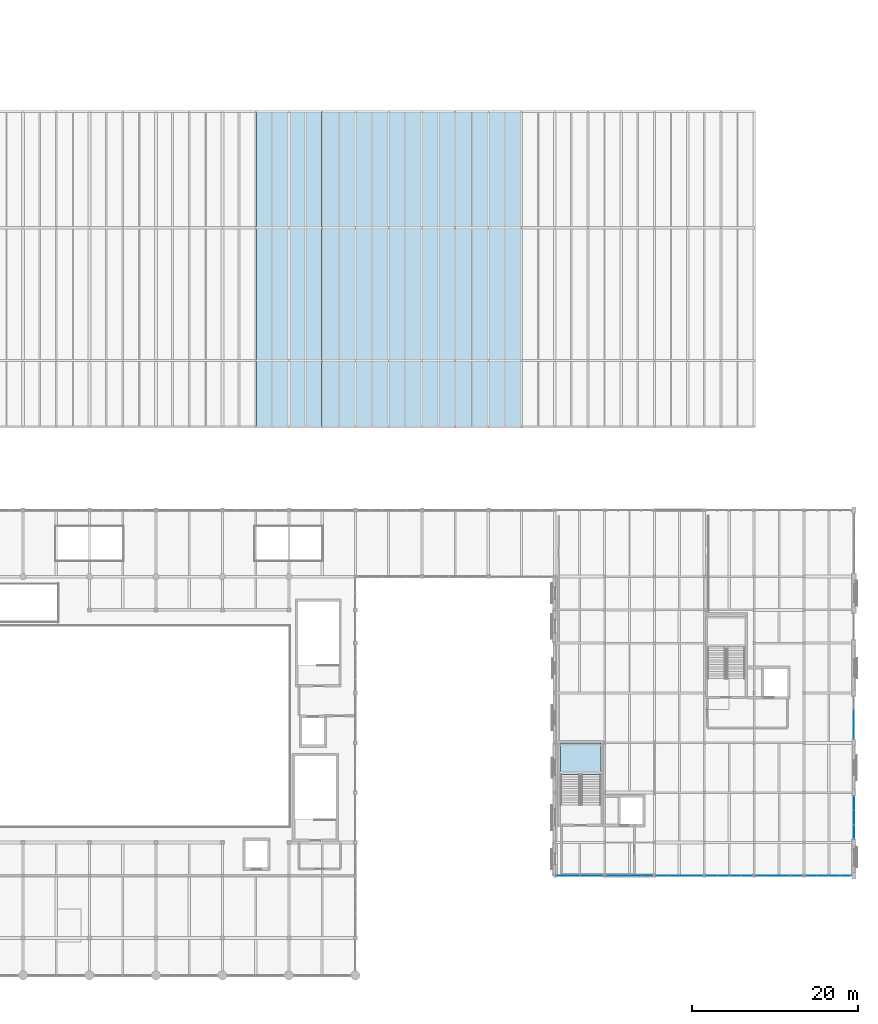
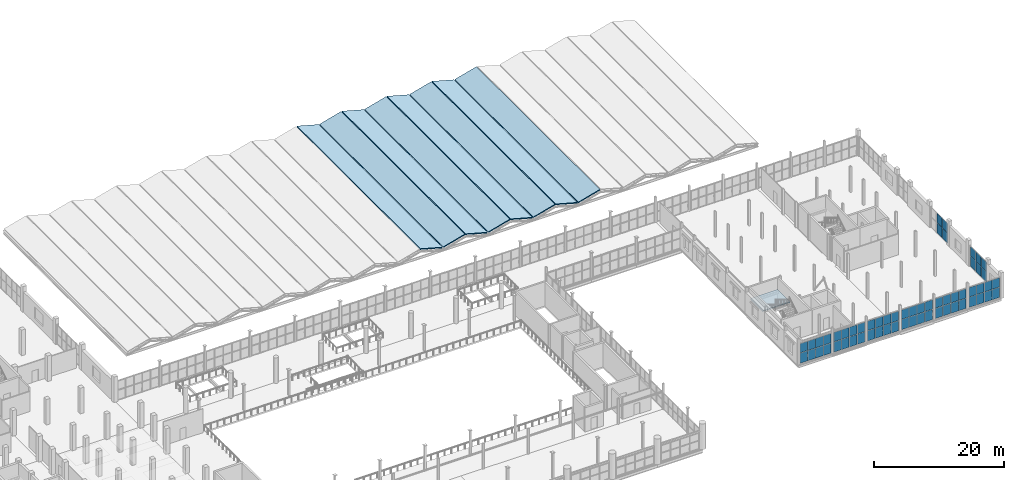
# One storey, part 88 of 114: 58 plates, 9 slabs, 9 elements without a shape of their own.
"""IFC4 building model written with IfcOpenShell, lengths in metres."""

import ifcopenshell
import ifcopenshell.guid

model = None  # the IFC model being written
_history = None  # IfcOwnerHistory: only IFC2X3 demands one
_inside = {}  # id of a spatial element -> (the spatial element, [elements in it])
_under = {}  # id of a project, library or spatial element -> (it, [spatial elements below it])
_declared = {}  # id of a project -> (the project, [libraries it declares])
_typed = {}  # id of a type object -> (the type object, [elements of that type])
_made_of = {}  # id of a material, layer set ... -> (it, [elements and type objects made of it])


def new_model(schema):
    """Start an empty IFC model of exactly this schema.

    Asked for "IFC4X3", IfcOpenShell would pick the latest addendum, in which some entities
    have other attributes; the version numbers below select the first issue.
    IFC2X3 requires an IfcOwnerHistory on every rooted entity: one is made here for all.
    """
    global model, _history
    if schema == "IFC4X3":
        model = ifcopenshell.file(schema_version=(4, 3, 0, 0))
    else:
        model = ifcopenshell.file(schema=schema)
    _inside.clear()
    _under.clear()
    _declared.clear()
    _typed.clear()
    _made_of.clear()
    _history = None
    if model.schema == "IFC2X3":
        org = make("IfcOrganization", Name="unknown")
        user = make(
            "IfcPersonAndOrganization",
            ThePerson=make("IfcPerson", FamilyName="unknown"),
            TheOrganization=org,
        )
        app = make(
            "IfcApplication",
            ApplicationDeveloper=org,
            Version="unknown",
            ApplicationFullName="unknown",
            ApplicationIdentifier="unknown",
        )
        _history = make(
            "IfcOwnerHistory",
            OwningUser=user,
            OwningApplication=app,
            ChangeAction="ADDED",
            CreationDate=0,
        )
    return model


def make(cls, **values):
    """One entity of the class cls with the attributes given. An attribute that is None is left unset."""
    return model.create_entity(
        cls, **{name: value for name, value in values.items() if value is not None}
    )


def rooted(cls, **values):
    """An entity with a GlobalId (a new one), such as an element, a storey or a relation."""
    return make(cls, GlobalId=ifcopenshell.guid.new(), OwnerHistory=_history, **values)


def si_unit(unit_type, name, prefix=None):
    """IfcSIUnit, for example si_unit("LENGTHUNIT", "METRE", prefix="MILLI")."""
    return make("IfcSIUnit", UnitType=unit_type, Prefix=prefix, Name=name)


def assignment(units):
    """IfcUnitAssignment: the units of a project."""
    return None if units is None else make("IfcUnitAssignment", Units=units)


def point(xyz):
    """IfcCartesianPoint."""
    return None if xyz is None else make("IfcCartesianPoint", Coordinates=xyz)


def direction(xyz):
    """IfcDirection."""
    return None if xyz is None else make("IfcDirection", DirectionRatios=xyz)


def frame(location, z_axis=None, x_axis=None):
    """IfcAxis2Placement3D, a coordinate frame: its origin and axes. An axis left out is left unset."""
    return make(
        "IfcAxis2Placement3D",
        Location=point(location),
        Axis=direction(z_axis),
        RefDirection=direction(x_axis),
    )


def frame_2d(location, x_axis=None):
    """IfcAxis2Placement2D, a coordinate frame in the plane: its origin and x axis."""
    return make(
        "IfcAxis2Placement2D", Location=point(location), RefDirection=direction(x_axis)
    )


def origin():
    """The frame at (0, 0, 0) with its axes left unset."""
    return frame((0.0, 0.0, 0.0))


def origin_2d():
    """The frame at (0, 0) in the plane with its x axis left unset."""
    return frame_2d((0.0, 0.0))


def place(relative_to, where):
    """IfcLocalPlacement: puts the frame where relative to a parent placement (None: the world)."""
    return make(
        "IfcLocalPlacement", PlacementRelTo=relative_to, RelativePlacement=where
    )


def context(
    kind, dimensions, precision=None, world=None, true_north=None, identifier=None
):
    """IfcGeometricRepresentationContext, for example the 3D "Model" context."""
    return make(
        "IfcGeometricRepresentationContext",
        ContextIdentifier=identifier,
        ContextType=kind,
        CoordinateSpaceDimension=dimensions,
        Precision=precision,
        WorldCoordinateSystem=world,
        TrueNorth=true_north,
    )


def subcontext(parent, identifier, kind, view, scale=None):
    """IfcGeometricRepresentationSubContext, for example "Body" below "Model"."""
    return make(
        "IfcGeometricRepresentationSubContext",
        ContextIdentifier=identifier,
        ContextType=kind,
        ParentContext=parent,
        TargetScale=scale,
        TargetView=view,
    )


def project(units=None, contexts=None):
    """IfcProject with its units and contexts."""
    return rooted(
        "IfcProject",
        Name="project",
        RepresentationContexts=contexts,
        UnitsInContext=assignment(units),
    )


def spatial(cls, under=None, at=None, **own):
    """A site, building, storey or space (cls), placed at a placement, below another one or the project."""
    s = rooted(cls, ObjectPlacement=at, **own)
    if under is not None:
        _under.setdefault(under.id(), (under, []))[1].append(s)
    return s


def polyline(points):
    """IfcPolyline through the points."""
    return make("IfcPolyline", Points=[point(p) for p in points])


def profile(cls, at=None, kind="AREA", **sizes):
    """A parametric profile (cls). Its sizes go by their IFC names, for example OverallWidth=200.0."""
    return make(cls, ProfileType=kind, Position=at, **sizes)


def rectangle(**sizes):
    """IfcRectangleProfileDef."""
    return profile("IfcRectangleProfileDef", **sizes)


def outline(outer, holes=None, kind="AREA"):
    """IfcArbitraryClosedProfileDef: a profile drawn as a closed curve; with holes, ...WithVoids."""
    if holes is None:
        return make("IfcArbitraryClosedProfileDef", ProfileType=kind, OuterCurve=outer)
    return make(
        "IfcArbitraryProfileDefWithVoids",
        ProfileType=kind,
        OuterCurve=outer,
        InnerCurves=holes,
    )


def extrude(swept, where, along, depth):
    """IfcExtrudedAreaSolid: the profile swept, set in the frame where, extruded along a direction by depth."""
    return make(
        "IfcExtrudedAreaSolid",
        SweptArea=swept,
        Position=where,
        ExtrudedDirection=direction(along),
        Depth=depth,
    )


def shape(context_of_items, identifier, shape_type, items):
    """IfcShapeRepresentation: the items that make up one representation, for example the "Body"."""
    return make(
        "IfcShapeRepresentation",
        ContextOfItems=context_of_items,
        RepresentationIdentifier=identifier,
        RepresentationType=shape_type,
        Items=items,
    )


def material(Name=None, Category=None):
    """IfcMaterial."""
    return make("IfcMaterial", Name=Name, Category=Category)


def layer(
    of_material, thickness, ventilated=None, Name=None, Category=None, Priority=None
):
    """IfcMaterialLayer: one layer of a wall or slab, of a material (None: an air gap)."""
    return make(
        "IfcMaterialLayer",
        Material=of_material,
        LayerThickness=thickness,
        IsVentilated=ventilated,
        Name=Name,
        Category=Category,
        Priority=Priority,
    )


def layer_set(layers, Name=None):
    """IfcMaterialLayerSet."""
    return make("IfcMaterialLayerSet", MaterialLayers=layers, LayerSetName=Name)


def made_of(thing, what):
    """Note that an element or type object is made of a material, layer set ...; save() writes the relation."""
    if what is not None:
        _made_of.setdefault(what.id(), (what, []))[1].append(thing)
    return thing


def type_object(cls, material=None, **own):
    """A type object (cls), such as IfcWallType, which elements share."""
    return made_of(rooted(cls, **own), material)


def element(
    cls,
    number,
    at=None,
    inside=None,
    cuts=None,
    type_object=None,
    material=None,
    context=None,
    identifier="Body",
    shape_type=None,
    held_by="IfcProductDefinitionShape",
    body=None,
    shapes=None,
    **own,
):
    """One element of the class cls, such as IfcWall. Its Tag is "e" and its number.

    at: its placement. inside: the storey or other place that contains it. cuts: it is an
    opening in that element (IfcRelVoidsElement). A single representation is given by context,
    identifier, shape_type and body (its items); several are given by shapes. held_by: the class
    of the entity that holds the representations. save() writes the other relations.
    """
    e = rooted(cls, Tag="e%d" % number, ObjectPlacement=at, **own)
    if body is not None:
        shapes = [shape(context, identifier, shape_type, body)]
    if shapes is not None:
        e.Representation = make(held_by, Representations=shapes)
    if inside is not None:
        _inside.setdefault(inside.id(), (inside, []))[1].append(e)
    if cuts is not None:
        rooted(
            "IfcRelVoidsElement", RelatingBuildingElement=cuts, RelatedOpeningElement=e
        )
    if type_object is not None:
        _typed.setdefault(type_object.id(), (type_object, []))[1].append(e)
    return made_of(e, material)


def aggregate(whole, parts):
    """IfcRelAggregates: a whole, such as a stair, and the parts it consists of."""
    return rooted("IfcRelAggregates", RelatingObject=whole, RelatedObjects=parts)


def save(model, path):
    """Write the relations noted so far, then the file.

    IfcRelAggregates (storeys below a building ...), IfcRelContainedInSpatialStructure (elements
    in a storey), IfcRelDefinesByType, IfcRelAssociatesMaterial and IfcRelDeclares: one each for
    every whole, place, type object, material and project.
    """
    for whole, parts in _under.values():
        aggregate(whole, parts)
    for where, things in _inside.values():
        rooted(
            "IfcRelContainedInSpatialStructure",
            RelatedElements=things,
            RelatingStructure=where,
        )
    for kind, things in _typed.values():
        rooted("IfcRelDefinesByType", RelatedObjects=things, RelatingType=kind)
    for what, things in _made_of.values():
        rooted("IfcRelAssociatesMaterial", RelatedObjects=things, RelatingMaterial=what)
    for by, libraries in _declared.values():
        rooted("IfcRelDeclares", RelatingContext=by, RelatedDefinitions=libraries)
    model.write(path)


model = new_model("IFC4")

# Units and contexts
model_context = context("Model", 3, precision=1e-05, world=origin(), true_north=direction((0.0, 1.0)))
body_context = subcontext(model_context, "Body", "Model", "MODEL_VIEW")
ifc_project = project(units=[si_unit("LENGTHUNIT", "METRE"), si_unit("AREAUNIT", "SQUARE_METRE"), si_unit("VOLUMEUNIT", "CUBIC_METRE"), si_unit("PLANEANGLEUNIT", "RADIAN"), si_unit("MASSUNIT", "GRAM", prefix="KILO")], contexts=[model_context])

# Site, building, storey
site_placement = place(None, origin())
site = spatial("IfcSite", under=ifc_project, at=site_placement, CompositionType="ELEMENT")
building_placement = place(site_placement, origin())
building = spatial("IfcBuilding", under=site, at=building_placement, Name="Verrall Gate Interchange", CompositionType="ELEMENT")
storey_placement = place(building_placement, frame((0.0, 0.0, 6.60009765625)))
storey = spatial("IfcBuildingStorey", under=building, at=storey_placement, Name="L02", CompositionType="ELEMENT", Elevation=6.60009765625)

# Curtain wall, plates
ifc_material_1 = material(Name="Thermally Broken Anodized Aluminium Curtain Wall Framing", Category="aluminium")
curtain_wall_type_1 = type_object("IfcCurtainWallType", Name="CW-18 Unitized Curtain Wall 5631x3760", PredefinedType="NOTDEFINED", material=ifc_material_1)
curtain_wall_1_placement = place(storey_placement, origin())
curtain_wall_1 = element("IfcCurtainWall", 1, at=curtain_wall_1_placement, inside=storey, type_object=curtain_wall_type_1, Name="L02 Unitized Curtain Wall CW-L02-085", PredefinedType="NOTDEFINED")
ifc_material_2 = material(Name="Triple-Glazed Low-E Argon Insulated Curtain Panel (U=1.45)", Category="glass")
ifc_layer_1 = layer(ifc_material_2, 0.030029296875)
ifc_layer_set_1 = layer_set([ifc_layer_1], Name="Triple-Glazed Low-E Argon Insulated Curtain Panel (U=1.45)")
plate_type_1 = type_object("IfcPlateType", Name="CP-01 Curtain Glazing Panel 30", PredefinedType="CURTAIN_PANEL", material=ifc_layer_set_1)
plate_1_placement = place(storey_placement, frame((132.90771484375, 12.0, 0.06298828125), z_axis=(0.0, 0.0, 1.0), x_axis=(1.0, 0.0, 0.0)))
plate_1 = element("IfcPlate", 2, at=plate_1_placement, type_object=plate_type_1, Name="CW-L02-085 Glazing Panel 1.1", PredefinedType="CURTAIN_PANEL", context=body_context, shape_type="SweptSolid", body=[
    extrude(rectangle(XDim=1.318603515625, YDim=0.030029296875, at=origin_2d()), origin(), (0.0, 0.0, 1.0), 1.903076171875),
])
plate_2_placement = place(storey_placement, frame((132.90771484375, 12.0, 2.016845703125), z_axis=(0.0, 0.0, 1.0), x_axis=(1.0, 0.0, 0.0)))
plate_2 = element("IfcPlate", 3, at=plate_2_placement, type_object=plate_type_1, Name="CW-L02-085 Glazing Panel 1.2", PredefinedType="CURTAIN_PANEL", context=body_context, shape_type="SweptSolid", body=[
    extrude(rectangle(XDim=1.318603515625, YDim=0.030029296875, at=origin_2d()), origin(), (0.0, 0.0, 1.0), 1.75),
])
plate_3_placement = place(storey_placement, frame((134.29638671875, 12.0, 0.06298828125), z_axis=(0.0, 0.0, 1.0), x_axis=(1.0, 0.0, 0.0)))
plate_3 = element("IfcPlate", 4, at=plate_3_placement, type_object=plate_type_1, Name="CW-L02-085 Glazing Panel 2.1", PredefinedType="CURTAIN_PANEL", context=body_context, shape_type="SweptSolid", body=[
    extrude(rectangle(XDim=1.356201171875, YDim=0.030029296875, at=origin_2d()), origin(), (0.0, 0.0, 1.0), 1.903076171875),
])
plate_4_placement = place(storey_placement, frame((134.29638671875, 12.0, 2.016845703125), z_axis=(0.0, 0.0, 1.0), x_axis=(1.0, 0.0, 0.0)))
plate_4 = element("IfcPlate", 5, at=plate_4_placement, type_object=plate_type_1, Name="CW-L02-085 Glazing Panel 2.2", PredefinedType="CURTAIN_PANEL", context=body_context, shape_type="SweptSolid", body=[
    extrude(rectangle(XDim=1.356201171875, YDim=0.030029296875, at=origin_2d()), origin(), (0.0, 0.0, 1.0), 1.75),
])
plate_5_placement = place(storey_placement, frame((135.70361328125, 12.0, 0.06298828125), z_axis=(0.0, 0.0, 1.0), x_axis=(1.0, 0.0, 0.0)))
plate_5 = element("IfcPlate", 6, at=plate_5_placement, type_object=plate_type_1, Name="CW-L02-085 Glazing Panel 3.1", PredefinedType="CURTAIN_PANEL", context=body_context, shape_type="SweptSolid", body=[
    extrude(rectangle(XDim=1.356201171875, YDim=0.030029296875, at=origin_2d()), origin(), (0.0, 0.0, 1.0), 1.903076171875),
])
plate_6_placement = place(storey_placement, frame((135.70361328125, 12.0, 2.016845703125), z_axis=(0.0, 0.0, 1.0), x_axis=(1.0, 0.0, 0.0)))
plate_6 = element("IfcPlate", 7, at=plate_6_placement, type_object=plate_type_1, Name="CW-L02-085 Glazing Panel 3.2", PredefinedType="CURTAIN_PANEL", context=body_context, shape_type="SweptSolid", body=[
    extrude(rectangle(XDim=1.356201171875, YDim=0.030029296875, at=origin_2d()), origin(), (0.0, 0.0, 1.0), 1.75),
])
plate_7_placement = place(storey_placement, frame((137.09228515625, 12.0, 0.06298828125), z_axis=(0.0, 0.0, 1.0), x_axis=(1.0, 0.0, 0.0)))
plate_7 = element("IfcPlate", 8, at=plate_7_placement, type_object=plate_type_1, Name="CW-L02-085 Glazing Panel 4.1", PredefinedType="CURTAIN_PANEL", context=body_context, shape_type="SweptSolid", body=[
    extrude(rectangle(XDim=1.318603515625, YDim=0.030029296875, at=origin_2d()), origin(), (0.0, 0.0, 1.0), 1.903076171875),
])
plate_8_placement = place(storey_placement, frame((137.09228515625, 12.0, 2.016845703125), z_axis=(0.0, 0.0, 1.0), x_axis=(1.0, 0.0, 0.0)))
plate_8 = element("IfcPlate", 9, at=plate_8_placement, type_object=plate_type_1, Name="CW-L02-085 Glazing Panel 4.2", PredefinedType="CURTAIN_PANEL", context=body_context, shape_type="SweptSolid", body=[
    extrude(rectangle(XDim=1.318603515625, YDim=0.030029296875, at=origin_2d()), origin(), (0.0, 0.0, 1.0), 1.75),
])
aggregate(curtain_wall_1, [plate_1, plate_2, plate_3, plate_4, plate_5, plate_6, plate_7, plate_8])

curtain_wall_2_placement = place(storey_placement, origin())
curtain_wall_2 = element("IfcCurtainWall", 10, at=curtain_wall_2_placement, inside=storey, type_object=curtain_wall_type_1, Name="L02 Unitized Curtain Wall CW-L02-088", PredefinedType="NOTDEFINED")
plate_9_placement = place(storey_placement, frame((150.9052734375, 12.0, 0.0546875), z_axis=(0.0, 0.0, 1.0), x_axis=(1.0, 0.0, 0.0)))
plate_9 = element("IfcPlate", 11, at=plate_9_placement, type_object=plate_type_1, Name="CW-L02-088 Glazing Panel 1.1", PredefinedType="CURTAIN_PANEL", context=body_context, shape_type="SweptSolid", body=[
    extrude(rectangle(XDim=1.33056640625, YDim=0.030029296875, at=origin_2d()), origin(), (0.0, 0.0, 1.0), 1.914794921875),
])
plate_10_placement = place(storey_placement, frame((150.9052734375, 12.0, 2.013671875), z_axis=(0.0, 0.0, 1.0), x_axis=(1.0, 0.0, 0.0)))
plate_10 = element("IfcPlate", 12, at=plate_10_placement, type_object=plate_type_1, Name="CW-L02-088 Glazing Panel 1.2", PredefinedType="CURTAIN_PANEL", context=body_context, shape_type="SweptSolid", body=[
    extrude(rectangle(XDim=1.33056640625, YDim=0.030029296875, at=origin_2d()), origin(), (0.0, 0.0, 1.0), 1.76171875),
])
plate_11_placement = place(storey_placement, frame((152.29638671875, 12.0, 0.0546875), z_axis=(0.0, 0.0, 1.0), x_axis=(1.0, 0.0, 0.0)))
plate_11 = element("IfcPlate", 13, at=plate_11_placement, type_object=plate_type_1, Name="CW-L02-088 Glazing Panel 2.1", PredefinedType="CURTAIN_PANEL", context=body_context, shape_type="SweptSolid", body=[
    extrude(rectangle(XDim=1.363037109375, YDim=0.030029296875, at=origin_2d()), origin(), (0.0, 0.0, 1.0), 1.914794921875),
])
plate_12_placement = place(storey_placement, frame((152.29638671875, 12.0, 2.013671875), z_axis=(0.0, 0.0, 1.0), x_axis=(1.0, 0.0, 0.0)))
plate_12 = element("IfcPlate", 14, at=plate_12_placement, type_object=plate_type_1, Name="CW-L02-088 Glazing Panel 2.2", PredefinedType="CURTAIN_PANEL", context=body_context, shape_type="SweptSolid", body=[
    extrude(rectangle(XDim=1.363037109375, YDim=0.030029296875, at=origin_2d()), origin(), (0.0, 0.0, 1.0), 1.76171875),
])
plate_13_placement = place(storey_placement, frame((153.70361328125, 12.0, 0.0546875), z_axis=(0.0, 0.0, 1.0), x_axis=(1.0, 0.0, 0.0)))
plate_13 = element("IfcPlate", 15, at=plate_13_placement, type_object=plate_type_1, Name="CW-L02-088 Glazing Panel 3.1", PredefinedType="CURTAIN_PANEL", context=body_context, shape_type="SweptSolid", body=[
    extrude(rectangle(XDim=1.363037109375, YDim=0.030029296875, at=origin_2d()), origin(), (0.0, 0.0, 1.0), 1.914794921875),
])
plate_14_placement = place(storey_placement, frame((153.70361328125, 12.0, 2.013671875), z_axis=(0.0, 0.0, 1.0), x_axis=(1.0, 0.0, 0.0)))
plate_14 = element("IfcPlate", 16, at=plate_14_placement, type_object=plate_type_1, Name="CW-L02-088 Glazing Panel 3.2", PredefinedType="CURTAIN_PANEL", context=body_context, shape_type="SweptSolid", body=[
    extrude(rectangle(XDim=1.363037109375, YDim=0.030029296875, at=origin_2d()), origin(), (0.0, 0.0, 1.0), 1.76171875),
])
plate_15_placement = place(storey_placement, frame((155.0947265625, 12.0, 0.0546875), z_axis=(0.0, 0.0, 1.0), x_axis=(1.0, 0.0, 0.0)))
plate_15 = element("IfcPlate", 17, at=plate_15_placement, type_object=plate_type_1, Name="CW-L02-088 Glazing Panel 4.1", PredefinedType="CURTAIN_PANEL", context=body_context, shape_type="SweptSolid", body=[
    extrude(rectangle(XDim=1.33056640625, YDim=0.030029296875, at=origin_2d()), origin(), (0.0, 0.0, 1.0), 1.914794921875),
])
plate_16_placement = place(storey_placement, frame((155.0947265625, 12.0, 2.013671875), z_axis=(0.0, 0.0, 1.0), x_axis=(1.0, 0.0, 0.0)))
plate_16 = element("IfcPlate", 18, at=plate_16_placement, type_object=plate_type_1, Name="CW-L02-088 Glazing Panel 4.2", PredefinedType="CURTAIN_PANEL", context=body_context, shape_type="SweptSolid", body=[
    extrude(rectangle(XDim=1.33056640625, YDim=0.030029296875, at=origin_2d()), origin(), (0.0, 0.0, 1.0), 1.76171875),
])
aggregate(curtain_wall_2, [plate_9, plate_10, plate_11, plate_12, plate_13, plate_14, plate_15, plate_16])

curtain_wall_3_placement = place(storey_placement, origin())
curtain_wall_3 = element("IfcCurtainWall", 19, at=curtain_wall_3_placement, inside=storey, type_object=curtain_wall_type_1, Name="L02 Unitized Curtain Wall CW-L02-089", PredefinedType="NOTDEFINED")
plate_17_placement = place(storey_placement, frame((156.90771484375, 12.0, 0.06298828125), z_axis=(0.0, 0.0, 1.0), x_axis=(1.0, 0.0, 0.0)))
plate_17 = element("IfcPlate", 20, at=plate_17_placement, type_object=plate_type_1, Name="CW-L02-089 Glazing Panel 1.1", PredefinedType="CURTAIN_PANEL", context=body_context, shape_type="SweptSolid", body=[
    extrude(rectangle(XDim=1.318603515625, YDim=0.030029296875, at=origin_2d()), origin(), (0.0, 0.0, 1.0), 1.903076171875),
])
plate_18_placement = place(storey_placement, frame((156.90771484375, 12.0, 2.016845703125), z_axis=(0.0, 0.0, 1.0), x_axis=(1.0, 0.0, 0.0)))
plate_18 = element("IfcPlate", 21, at=plate_18_placement, type_object=plate_type_1, Name="CW-L02-089 Glazing Panel 1.2", PredefinedType="CURTAIN_PANEL", context=body_context, shape_type="SweptSolid", body=[
    extrude(rectangle(XDim=1.318603515625, YDim=0.030029296875, at=origin_2d()), origin(), (0.0, 0.0, 1.0), 1.75),
])
plate_19_placement = place(storey_placement, frame((158.29638671875, 12.0, 0.06298828125), z_axis=(0.0, 0.0, 1.0), x_axis=(1.0, 0.0, 0.0)))
plate_19 = element("IfcPlate", 22, at=plate_19_placement, type_object=plate_type_1, Name="CW-L02-089 Glazing Panel 2.1", PredefinedType="CURTAIN_PANEL", context=body_context, shape_type="SweptSolid", body=[
    extrude(rectangle(XDim=1.356201171875, YDim=0.030029296875, at=origin_2d()), origin(), (0.0, 0.0, 1.0), 1.903076171875),
])
plate_20_placement = place(storey_placement, frame((158.29638671875, 12.0, 2.016845703125), z_axis=(0.0, 0.0, 1.0), x_axis=(1.0, 0.0, 0.0)))
plate_20 = element("IfcPlate", 23, at=plate_20_placement, type_object=plate_type_1, Name="CW-L02-089 Glazing Panel 2.2", PredefinedType="CURTAIN_PANEL", context=body_context, shape_type="SweptSolid", body=[
    extrude(rectangle(XDim=1.356201171875, YDim=0.030029296875, at=origin_2d()), origin(), (0.0, 0.0, 1.0), 1.75),
])
plate_21_placement = place(storey_placement, frame((159.70361328125, 12.0, 0.06298828125), z_axis=(0.0, 0.0, 1.0), x_axis=(1.0, 0.0, 0.0)))
plate_21 = element("IfcPlate", 24, at=plate_21_placement, type_object=plate_type_1, Name="CW-L02-089 Glazing Panel 3.1", PredefinedType="CURTAIN_PANEL", context=body_context, shape_type="SweptSolid", body=[
    extrude(rectangle(XDim=1.356201171875, YDim=0.030029296875, at=origin_2d()), origin(), (0.0, 0.0, 1.0), 1.903076171875),
])
plate_22_placement = place(storey_placement, frame((159.70361328125, 12.0, 2.016845703125), z_axis=(0.0, 0.0, 1.0), x_axis=(1.0, 0.0, 0.0)))
plate_22 = element("IfcPlate", 25, at=plate_22_placement, type_object=plate_type_1, Name="CW-L02-089 Glazing Panel 3.2", PredefinedType="CURTAIN_PANEL", context=body_context, shape_type="SweptSolid", body=[
    extrude(rectangle(XDim=1.356201171875, YDim=0.030029296875, at=origin_2d()), origin(), (0.0, 0.0, 1.0), 1.75),
])
plate_23_placement = place(storey_placement, frame((161.09228515625, 12.0, 0.06298828125), z_axis=(0.0, 0.0, 1.0), x_axis=(1.0, 0.0, 0.0)))
plate_23 = element("IfcPlate", 26, at=plate_23_placement, type_object=plate_type_1, Name="CW-L02-089 Glazing Panel 4.1", PredefinedType="CURTAIN_PANEL", context=body_context, shape_type="SweptSolid", body=[
    extrude(rectangle(XDim=1.318603515625, YDim=0.030029296875, at=origin_2d()), origin(), (0.0, 0.0, 1.0), 1.903076171875),
])
plate_24_placement = place(storey_placement, frame((161.09228515625, 12.0, 2.016845703125), z_axis=(0.0, 0.0, 1.0), x_axis=(1.0, 0.0, 0.0)))
plate_24 = element("IfcPlate", 27, at=plate_24_placement, type_object=plate_type_1, Name="CW-L02-089 Glazing Panel 4.2", PredefinedType="CURTAIN_PANEL", context=body_context, shape_type="SweptSolid", body=[
    extrude(rectangle(XDim=1.318603515625, YDim=0.030029296875, at=origin_2d()), origin(), (0.0, 0.0, 1.0), 1.75),
])
aggregate(curtain_wall_3, [plate_17, plate_18, plate_19, plate_20, plate_21, plate_22, plate_23, plate_24])

ifc_material_3 = material(Name="Thermally Broken Anodized Aluminium Curtain Wall Framing", Category="aluminium")
curtain_wall_type_2 = type_object("IfcCurtainWallType", Name="CW-24 Unitized Curtain Wall 5186x3830", PredefinedType="NOTDEFINED", material=ifc_material_3)
curtain_wall_4_placement = place(storey_placement, origin())
curtain_wall_4 = element("IfcCurtainWall", 28, at=curtain_wall_4_placement, inside=storey, type_object=curtain_wall_type_2, Name="L02 Unitized Curtain Wall CW-L02-092", PredefinedType="NOTDEFINED")
plate_25_placement = place(storey_placement, frame((168.0, 29.28759765625, 0.0546875), z_axis=(0.0, 0.0, 1.0), x_axis=(0.0, 1.0, 0.0)))
plate_25 = element("IfcPlate", 29, at=plate_25_placement, type_object=plate_type_1, Name="CW-L02-092 Glazing Panel 1.1", PredefinedType="CURTAIN_PANEL", context=body_context, shape_type="SweptSolid", body=[
    extrude(rectangle(XDim=1.652099609375, YDim=0.030029296875, at=origin_2d()), origin(), (0.0, 0.0, 1.0), 1.914794921875),
])
plate_26_placement = place(storey_placement, frame((168.0, 29.28759765625, 2.013671875), z_axis=(0.0, 0.0, 1.0), x_axis=(0.0, 1.0, 0.0)))
plate_26 = element("IfcPlate", 30, at=plate_26_placement, type_object=plate_type_1, Name="CW-L02-092 Glazing Panel 1.2", PredefinedType="CURTAIN_PANEL", context=body_context, shape_type="SweptSolid", body=[
    extrude(rectangle(XDim=1.652099609375, YDim=0.030029296875, at=origin_2d()), origin(), (0.0, 0.0, 1.0), 1.76171875),
])
plate_27_placement = place(storey_placement, frame((168.0, 31.0, 0.0546875), z_axis=(0.0, 0.0, 1.0), x_axis=(0.0, 1.0, 0.0)))
plate_27 = element("IfcPlate", 31, at=plate_27_placement, type_object=plate_type_1, Name="CW-L02-092 Glazing Panel 2.1", PredefinedType="CURTAIN_PANEL", context=body_context, shape_type="SweptSolid", body=[
    extrude(rectangle(XDim=1.684326171875, YDim=0.030029296875, at=origin_2d()), origin(), (0.0, 0.0, 1.0), 1.914794921875),
])
plate_28_placement = place(storey_placement, frame((168.0, 31.0, 2.013671875), z_axis=(0.0, 0.0, 1.0), x_axis=(0.0, 1.0, 0.0)))
plate_28 = element("IfcPlate", 32, at=plate_28_placement, type_object=plate_type_1, Name="CW-L02-092 Glazing Panel 2.2", PredefinedType="CURTAIN_PANEL", context=body_context, shape_type="SweptSolid", body=[
    extrude(rectangle(XDim=1.684326171875, YDim=0.030029296875, at=origin_2d()), origin(), (0.0, 0.0, 1.0), 1.76171875),
])
aggregate(curtain_wall_4, [plate_25, plate_26, plate_27, plate_28])

curtain_wall_5_placement = place(storey_placement, origin())
curtain_wall_5 = element("IfcCurtainWall", 33, at=curtain_wall_5_placement, inside=storey, type_object=curtain_wall_type_1, Name="L02 Unitized Curtain Wall CW-L02-086", PredefinedType="NOTDEFINED")
ifc_material_4 = material(Name="Triple-Glazed Low-E Argon Insulated Curtain Panel (U=1.45)", Category="glass")
ifc_layer_2 = layer(ifc_material_4, 0.0400390625)
ifc_layer_set_2 = layer_set([ifc_layer_2], Name="Triple-Glazed Low-E Argon Insulated Curtain Panel (U=1.45)")
plate_type_2 = type_object("IfcPlateType", Name="CP-02 Curtain Glazing Panel 40", PredefinedType="CURTAIN_PANEL", material=ifc_layer_set_2)
plate_29_placement = place(storey_placement, frame((138.9052734375, 12.0, 0.0546875), z_axis=(0.0, 0.0, 1.0), x_axis=(1.0, 0.0, 0.0)))
plate_29 = element("IfcPlate", 34, at=plate_29_placement, type_object=plate_type_2, Name="CW-L02-086 Glazing Panel 1.1", PredefinedType="CURTAIN_PANEL", context=body_context, shape_type="SweptSolid", body=[
    extrude(rectangle(XDim=1.33056640625, YDim=0.0400390625, at=origin_2d()), origin(), (0.0, 0.0, 1.0), 1.914794921875),
])
plate_30_placement = place(storey_placement, frame((138.9052734375, 12.0, 2.013671875), z_axis=(0.0, 0.0, 1.0), x_axis=(1.0, 0.0, 0.0)))
plate_30 = element("IfcPlate", 35, at=plate_30_placement, type_object=plate_type_2, Name="CW-L02-086 Glazing Panel 1.2", PredefinedType="CURTAIN_PANEL", context=body_context, shape_type="SweptSolid", body=[
    extrude(rectangle(XDim=1.33056640625, YDim=0.0400390625, at=origin_2d()), origin(), (0.0, 0.0, 1.0), 1.76171875),
])
plate_31_placement = place(storey_placement, frame((140.29638671875, 12.0, 0.0546875), z_axis=(0.0, 0.0, 1.0), x_axis=(1.0, 0.0, 0.0)))
plate_31 = element("IfcPlate", 36, at=plate_31_placement, type_object=plate_type_2, Name="CW-L02-086 Glazing Panel 2.1", PredefinedType="CURTAIN_PANEL", context=body_context, shape_type="SweptSolid", body=[
    extrude(rectangle(XDim=1.363037109375, YDim=0.0400390625, at=origin_2d()), origin(), (0.0, 0.0, 1.0), 1.914794921875),
])
plate_32_placement = place(storey_placement, frame((140.29638671875, 12.0, 2.013671875), z_axis=(0.0, 0.0, 1.0), x_axis=(1.0, 0.0, 0.0)))
plate_32 = element("IfcPlate", 37, at=plate_32_placement, type_object=plate_type_2, Name="CW-L02-086 Glazing Panel 2.2", PredefinedType="CURTAIN_PANEL", context=body_context, shape_type="SweptSolid", body=[
    extrude(rectangle(XDim=1.363037109375, YDim=0.0400390625, at=origin_2d()), origin(), (0.0, 0.0, 1.0), 1.76171875),
])
plate_33_placement = place(storey_placement, frame((141.70361328125, 12.0, 0.0546875), z_axis=(0.0, 0.0, 1.0), x_axis=(1.0, 0.0, 0.0)))
plate_33 = element("IfcPlate", 38, at=plate_33_placement, type_object=plate_type_2, Name="CW-L02-086 Glazing Panel 3.1", PredefinedType="CURTAIN_PANEL", context=body_context, shape_type="SweptSolid", body=[
    extrude(rectangle(XDim=1.363037109375, YDim=0.0400390625, at=origin_2d()), origin(), (0.0, 0.0, 1.0), 1.914794921875),
])
plate_34_placement = place(storey_placement, frame((141.70361328125, 12.0, 2.013671875), z_axis=(0.0, 0.0, 1.0), x_axis=(1.0, 0.0, 0.0)))
plate_34 = element("IfcPlate", 39, at=plate_34_placement, type_object=plate_type_2, Name="CW-L02-086 Glazing Panel 3.2", PredefinedType="CURTAIN_PANEL", context=body_context, shape_type="SweptSolid", body=[
    extrude(rectangle(XDim=1.363037109375, YDim=0.0400390625, at=origin_2d()), origin(), (0.0, 0.0, 1.0), 1.76171875),
])
plate_35_placement = place(storey_placement, frame((143.0947265625, 12.0, 0.0546875), z_axis=(0.0, 0.0, 1.0), x_axis=(1.0, 0.0, 0.0)))
plate_35 = element("IfcPlate", 40, at=plate_35_placement, type_object=plate_type_2, Name="CW-L02-086 Glazing Panel 4.1", PredefinedType="CURTAIN_PANEL", context=body_context, shape_type="SweptSolid", body=[
    extrude(rectangle(XDim=1.33056640625, YDim=0.0400390625, at=origin_2d()), origin(), (0.0, 0.0, 1.0), 1.914794921875),
])
plate_36_placement = place(storey_placement, frame((143.0947265625, 12.0, 2.013671875), z_axis=(0.0, 0.0, 1.0), x_axis=(1.0, 0.0, 0.0)))
plate_36 = element("IfcPlate", 41, at=plate_36_placement, type_object=plate_type_2, Name="CW-L02-086 Glazing Panel 4.2", PredefinedType="CURTAIN_PANEL", context=body_context, shape_type="SweptSolid", body=[
    extrude(rectangle(XDim=1.33056640625, YDim=0.0400390625, at=origin_2d()), origin(), (0.0, 0.0, 1.0), 1.76171875),
])
aggregate(curtain_wall_5, [plate_29, plate_30, plate_31, plate_32, plate_33, plate_34, plate_35, plate_36])

curtain_wall_6_placement = place(storey_placement, origin())
curtain_wall_6 = element("IfcCurtainWall", 42, at=curtain_wall_6_placement, inside=storey, type_object=curtain_wall_type_1, Name="L02 Unitized Curtain Wall CW-L02-087", PredefinedType="NOTDEFINED")
plate_37_placement = place(storey_placement, frame((144.90771484375, 12.0, 0.06298828125), z_axis=(0.0, 0.0, 1.0), x_axis=(1.0, 0.0, 0.0)))
plate_37 = element("IfcPlate", 43, at=plate_37_placement, type_object=plate_type_2, Name="CW-L02-087 Glazing Panel 1.1", PredefinedType="CURTAIN_PANEL", context=body_context, shape_type="SweptSolid", body=[
    extrude(rectangle(XDim=1.318603515625, YDim=0.0400390625, at=origin_2d()), origin(), (0.0, 0.0, 1.0), 1.903076171875),
])
plate_38_placement = place(storey_placement, frame((144.90771484375, 12.0, 2.016845703125), z_axis=(0.0, 0.0, 1.0), x_axis=(1.0, 0.0, 0.0)))
plate_38 = element("IfcPlate", 44, at=plate_38_placement, type_object=plate_type_2, Name="CW-L02-087 Glazing Panel 1.2", PredefinedType="CURTAIN_PANEL", context=body_context, shape_type="SweptSolid", body=[
    extrude(rectangle(XDim=1.318603515625, YDim=0.0400390625, at=origin_2d()), origin(), (0.0, 0.0, 1.0), 1.75),
])
plate_39_placement = place(storey_placement, frame((146.29638671875, 12.0, 0.06298828125), z_axis=(0.0, 0.0, 1.0), x_axis=(1.0, 0.0, 0.0)))
plate_39 = element("IfcPlate", 45, at=plate_39_placement, type_object=plate_type_2, Name="CW-L02-087 Glazing Panel 2.1", PredefinedType="CURTAIN_PANEL", context=body_context, shape_type="SweptSolid", body=[
    extrude(rectangle(XDim=1.356201171875, YDim=0.0400390625, at=origin_2d()), origin(), (0.0, 0.0, 1.0), 1.903076171875),
])
plate_40_placement = place(storey_placement, frame((146.29638671875, 12.0, 2.016845703125), z_axis=(0.0, 0.0, 1.0), x_axis=(1.0, 0.0, 0.0)))
plate_40 = element("IfcPlate", 46, at=plate_40_placement, type_object=plate_type_2, Name="CW-L02-087 Glazing Panel 2.2", PredefinedType="CURTAIN_PANEL", context=body_context, shape_type="SweptSolid", body=[
    extrude(rectangle(XDim=1.356201171875, YDim=0.0400390625, at=origin_2d()), origin(), (0.0, 0.0, 1.0), 1.75),
])
plate_41_placement = place(storey_placement, frame((147.70361328125, 12.0, 0.06298828125), z_axis=(0.0, 0.0, 1.0), x_axis=(1.0, 0.0, 0.0)))
plate_41 = element("IfcPlate", 47, at=plate_41_placement, type_object=plate_type_2, Name="CW-L02-087 Glazing Panel 3.1", PredefinedType="CURTAIN_PANEL", context=body_context, shape_type="SweptSolid", body=[
    extrude(rectangle(XDim=1.356201171875, YDim=0.0400390625, at=origin_2d()), origin(), (0.0, 0.0, 1.0), 1.903076171875),
])
plate_42_placement = place(storey_placement, frame((147.70361328125, 12.0, 2.016845703125), z_axis=(0.0, 0.0, 1.0), x_axis=(1.0, 0.0, 0.0)))
plate_42 = element("IfcPlate", 48, at=plate_42_placement, type_object=plate_type_2, Name="CW-L02-087 Glazing Panel 3.2", PredefinedType="CURTAIN_PANEL", context=body_context, shape_type="SweptSolid", body=[
    extrude(rectangle(XDim=1.356201171875, YDim=0.0400390625, at=origin_2d()), origin(), (0.0, 0.0, 1.0), 1.75),
])
plate_43_placement = place(storey_placement, frame((149.09228515625, 12.0, 0.06298828125), z_axis=(0.0, 0.0, 1.0), x_axis=(1.0, 0.0, 0.0)))
plate_43 = element("IfcPlate", 49, at=plate_43_placement, type_object=plate_type_2, Name="CW-L02-087 Glazing Panel 4.1", PredefinedType="CURTAIN_PANEL", context=body_context, shape_type="SweptSolid", body=[
    extrude(rectangle(XDim=1.318603515625, YDim=0.0400390625, at=origin_2d()), origin(), (0.0, 0.0, 1.0), 1.903076171875),
])
plate_44_placement = place(storey_placement, frame((149.09228515625, 12.0, 2.016845703125), z_axis=(0.0, 0.0, 1.0), x_axis=(1.0, 0.0, 0.0)))
plate_44 = element("IfcPlate", 50, at=plate_44_placement, type_object=plate_type_2, Name="CW-L02-087 Glazing Panel 4.2", PredefinedType="CURTAIN_PANEL", context=body_context, shape_type="SweptSolid", body=[
    extrude(rectangle(XDim=1.318603515625, YDim=0.0400390625, at=origin_2d()), origin(), (0.0, 0.0, 1.0), 1.75),
])
aggregate(curtain_wall_6, [plate_37, plate_38, plate_39, plate_40, plate_41, plate_42, plate_43, plate_44])

ifc_material_5 = material(Name="Thermally Broken Anodized Aluminium Curtain Wall Framing", Category="aluminium")
curtain_wall_type_3 = type_object("IfcCurtainWallType", Name="CW-23 Unitized Curtain Wall 5532x3830", PredefinedType="NOTDEFINED", material=ifc_material_5)
curtain_wall_7_placement = place(storey_placement, origin())
curtain_wall_7 = element("IfcCurtainWall", 51, at=curtain_wall_7_placement, inside=storey, type_object=curtain_wall_type_3, Name="L02 Unitized Curtain Wall CW-L02-090", PredefinedType="NOTDEFINED")
plate_45_placement = place(storey_placement, frame((162.893310546875, 12.0, 0.0546875), z_axis=(0.0, 0.0, 1.0), x_axis=(1.0, 0.0, 0.0)))
plate_45 = element("IfcPlate", 52, at=plate_45_placement, type_object=plate_type_2, Name="CW-L02-090 Glazing Panel 1.1", PredefinedType="CURTAIN_PANEL", context=body_context, shape_type="SweptSolid", body=[
    extrude(rectangle(XDim=1.306396484375, YDim=0.0400390625, at=origin_2d()), origin(), (0.0, 0.0, 1.0), 1.914794921875),
])
plate_46_placement = place(storey_placement, frame((162.893310546875, 12.0, 2.013671875), z_axis=(0.0, 0.0, 1.0), x_axis=(1.0, 0.0, 0.0)))
plate_46 = element("IfcPlate", 53, at=plate_46_placement, type_object=plate_type_2, Name="CW-L02-090 Glazing Panel 1.2", PredefinedType="CURTAIN_PANEL", context=body_context, shape_type="SweptSolid", body=[
    extrude(rectangle(XDim=1.306396484375, YDim=0.0400390625, at=origin_2d()), origin(), (0.0, 0.0, 1.0), 1.76171875),
])
plate_47_placement = place(storey_placement, frame((164.260009765625, 12.0, 0.0546875), z_axis=(0.0, 0.0, 1.0), x_axis=(1.0, 0.0, 0.0)))
plate_47 = element("IfcPlate", 54, at=plate_47_placement, type_object=plate_type_2, Name="CW-L02-090 Glazing Panel 2.1", PredefinedType="CURTAIN_PANEL", context=body_context, shape_type="SweptSolid", body=[
    extrude(rectangle(XDim=1.3388671875, YDim=0.0400390625, at=origin_2d()), origin(), (0.0, 0.0, 1.0), 1.914794921875),
])
plate_48_placement = place(storey_placement, frame((164.260009765625, 12.0, 2.013671875), z_axis=(0.0, 0.0, 1.0), x_axis=(1.0, 0.0, 0.0)))
plate_48 = element("IfcPlate", 55, at=plate_48_placement, type_object=plate_type_2, Name="CW-L02-090 Glazing Panel 2.2", PredefinedType="CURTAIN_PANEL", context=body_context, shape_type="SweptSolid", body=[
    extrude(rectangle(XDim=1.3388671875, YDim=0.0400390625, at=origin_2d()), origin(), (0.0, 0.0, 1.0), 1.76171875),
])
plate_49_placement = place(storey_placement, frame((165.643310546875, 12.0, 0.0546875), z_axis=(0.0, 0.0, 1.0), x_axis=(1.0, 0.0, 0.0)))
plate_49 = element("IfcPlate", 56, at=plate_49_placement, type_object=plate_type_2, Name="CW-L02-090 Glazing Panel 3.1", PredefinedType="CURTAIN_PANEL", context=body_context, shape_type="SweptSolid", body=[
    extrude(rectangle(XDim=1.339111328125, YDim=0.0400390625, at=origin_2d()), origin(), (0.0, 0.0, 1.0), 1.914794921875),
])
plate_50_placement = place(storey_placement, frame((165.643310546875, 12.0, 2.013671875), z_axis=(0.0, 0.0, 1.0), x_axis=(1.0, 0.0, 0.0)))
plate_50 = element("IfcPlate", 57, at=plate_50_placement, type_object=plate_type_2, Name="CW-L02-090 Glazing Panel 3.2", PredefinedType="CURTAIN_PANEL", context=body_context, shape_type="SweptSolid", body=[
    extrude(rectangle(XDim=1.339111328125, YDim=0.0400390625, at=origin_2d()), origin(), (0.0, 0.0, 1.0), 1.76171875),
])
plate_51_placement = place(storey_placement, frame((167.01025390625, 12.0, 0.0546875), z_axis=(0.0, 0.0, 1.0), x_axis=(1.0, 0.0, 0.0)))
plate_51 = element("IfcPlate", 58, at=plate_51_placement, type_object=plate_type_2, Name="CW-L02-090 Glazing Panel 4.1", PredefinedType="CURTAIN_PANEL", context=body_context, shape_type="SweptSolid", body=[
    extrude(rectangle(XDim=1.306396484375, YDim=0.0400390625, at=origin_2d()), origin(), (0.0, 0.0, 1.0), 1.914794921875),
])
plate_52_placement = place(storey_placement, frame((167.01025390625, 12.0, 2.013671875), z_axis=(0.0, 0.0, 1.0), x_axis=(1.0, 0.0, 0.0)))
plate_52 = element("IfcPlate", 59, at=plate_52_placement, type_object=plate_type_2, Name="CW-L02-090 Glazing Panel 4.2", PredefinedType="CURTAIN_PANEL", context=body_context, shape_type="SweptSolid", body=[
    extrude(rectangle(XDim=1.306396484375, YDim=0.0400390625, at=origin_2d()), origin(), (0.0, 0.0, 1.0), 1.76171875),
])
aggregate(curtain_wall_7, [plate_45, plate_46, plate_47, plate_48, plate_49, plate_50, plate_51, plate_52])

curtain_wall_8_placement = place(storey_placement, origin())
curtain_wall_8 = element("IfcCurtainWall", 60, at=curtain_wall_8_placement, inside=storey, type_object=curtain_wall_type_2, Name="L02 Unitized Curtain Wall CW-L02-091", PredefinedType="NOTDEFINED")
plate_53_placement = place(storey_placement, frame((168.0, 17.2900390625, 0.06298828125), z_axis=(0.0, 0.0, 1.0), x_axis=(0.0, 1.0, 0.0)))
plate_53 = element("IfcPlate", 61, at=plate_53_placement, type_object=plate_type_2, Name="CW-L02-091 Glazing Panel 1.1", PredefinedType="CURTAIN_PANEL", context=body_context, shape_type="SweptSolid", body=[
    extrude(rectangle(XDim=1.64013671875, YDim=0.0400390625, at=origin_2d()), origin(), (0.0, 0.0, 1.0), 1.903076171875),
])
plate_54_placement = place(storey_placement, frame((168.0, 17.2900390625, 2.016845703125), z_axis=(0.0, 0.0, 1.0), x_axis=(0.0, 1.0, 0.0)))
plate_54 = element("IfcPlate", 62, at=plate_54_placement, type_object=plate_type_2, Name="CW-L02-091 Glazing Panel 1.2", PredefinedType="CURTAIN_PANEL", context=body_context, shape_type="SweptSolid", body=[
    extrude(rectangle(XDim=1.64013671875, YDim=0.0400390625, at=origin_2d()), origin(), (0.0, 0.0, 1.0), 1.75),
])
plate_55_placement = place(storey_placement, frame((168.0, 19.0, 0.06298828125), z_axis=(0.0, 0.0, 1.0), x_axis=(0.0, 1.0, 0.0)))
plate_55 = element("IfcPlate", 63, at=plate_55_placement, type_object=plate_type_2, Name="CW-L02-091 Glazing Panel 2.1", PredefinedType="CURTAIN_PANEL", context=body_context, shape_type="SweptSolid", body=[
    extrude(rectangle(XDim=1.677490234375, YDim=0.0400390625, at=origin_2d()), origin(), (0.0, 0.0, 1.0), 1.903076171875),
])
plate_56_placement = place(storey_placement, frame((168.0, 19.0, 2.016845703125), z_axis=(0.0, 0.0, 1.0), x_axis=(0.0, 1.0, 0.0)))
plate_56 = element("IfcPlate", 64, at=plate_56_placement, type_object=plate_type_2, Name="CW-L02-091 Glazing Panel 2.2", PredefinedType="CURTAIN_PANEL", context=body_context, shape_type="SweptSolid", body=[
    extrude(rectangle(XDim=1.677490234375, YDim=0.0400390625, at=origin_2d()), origin(), (0.0, 0.0, 1.0), 1.75),
])
plate_57_placement = place(storey_placement, frame((168.0, 20.7099609375, 0.06298828125), z_axis=(0.0, 0.0, 1.0), x_axis=(0.0, 1.0, 0.0)))
plate_57 = element("IfcPlate", 65, at=plate_57_placement, type_object=plate_type_2, Name="CW-L02-091 Glazing Panel 3.1", PredefinedType="CURTAIN_PANEL", context=body_context, shape_type="SweptSolid", body=[
    extrude(rectangle(XDim=1.64013671875, YDim=0.0400390625, at=origin_2d()), origin(), (0.0, 0.0, 1.0), 1.903076171875),
])
plate_58_placement = place(storey_placement, frame((168.0, 20.7099609375, 2.016845703125), z_axis=(0.0, 0.0, 1.0), x_axis=(0.0, 1.0, 0.0)))
plate_58 = element("IfcPlate", 66, at=plate_58_placement, type_object=plate_type_2, Name="CW-L02-091 Glazing Panel 3.2", PredefinedType="CURTAIN_PANEL", context=body_context, shape_type="SweptSolid", body=[
    extrude(rectangle(XDim=1.64013671875, YDim=0.0400390625, at=origin_2d()), origin(), (0.0, 0.0, 1.0), 1.75),
])
aggregate(curtain_wall_8, [plate_53, plate_54, plate_55, plate_56, plate_57, plate_58])

# Stair, slab
ifc_material_6 = material(Name="Concrete CSA A23.1 40 MPa (Class N)", Category="concrete")
stair_type = type_object("IfcStairType", Name="ST-T15 Straight-Flight Return Exit Stair W2330 H4800", PredefinedType="STRAIGHT_RUN_STAIR", material=ifc_material_6)
stair_placement = place(storey_placement, origin())
stair = element("IfcStair", 67, at=stair_placement, inside=storey, type_object=stair_type, Name="L02 ST-08", PredefinedType="STRAIGHT_RUN_STAIR")
ifc_material_7 = material(Name="Concrete CSA A23.1 40 MPa (Class N)", Category="concrete")
ifc_layer_3 = layer(ifc_material_7, 0.18994140625)
ifc_layer_set_3 = layer_set([ifc_layer_3], Name="Concrete CSA A23.1 40 MPa (Class N)")
slab_type_1 = type_object("IfcSlabType", Name="LS-01 Stair Landing Slab 190", PredefinedType="LANDING", material=ifc_layer_set_3)
slab_placement = place(storey_placement, frame((0.0, 0.0, 2.199951171875)))
slab = element("IfcSlab", 68, at=slab_placement, type_object=slab_type_1, Name="ST-08 landing 1", PredefinedType="LANDING", context=body_context, shape_type="SweptSolid", body=[
    extrude(outline(polyline([(137.5400390625, 24.169921875), (137.5400390625, 28.0), (132.679931640625, 28.0), (132.679931640625, 24.169921875), (137.5400390625, 24.169921875)])), origin(), (0.0, 0.0, 1.0), 0.199951171875),
])
aggregate(stair, [slab])

# Slabs
ifc_material_8 = material(Name="Concrete CSA A23.1 40 MPa (Class C-1)", Category="concrete")
ifc_layer_4 = layer(ifc_material_8, 0.179931640625)
ifc_layer_set_4 = layer_set([ifc_layer_4], Name="Concrete CSA A23.1 40 MPa (Class C-1)")
slab_type_2 = type_object("IfcSlabType", Name="RS-02 Roof Slab 180", PredefinedType="ROOF", material=ifc_layer_set_4)
for number, where, z_axis, x_axis, name in (
    (69, (96.070068359375, 66.0, 1.480712890625), (0.265170657731, 0.0, 0.964201494647), (0.964201494647, 0.0, -0.265170657731), "Bus Concourse Folded-Plate Roof Facet RF-BP-14"),
    (70, (100.070068359375, 66.0, 0.419189453125), (-0.265170657731, 0.0, 0.964201494647), (0.964201494647, 0.0, 0.265170657731), "Bus Concourse Folded-Plate Roof Facet RF-BP-15"),
    (71, (104.070068359375, 66.0, 1.480712890625), (0.265170657731, 0.0, 0.964201494647), (0.964201494647, 0.0, -0.265170657731), "Bus Concourse Folded-Plate Roof Facet RF-BP-16"),
    (72, (108.070068359375, 66.0, 0.419189453125), (-0.265170657731, 0.0, 0.964201494647), (0.964201494647, 0.0, 0.265170657731), "Bus Concourse Folded-Plate Roof Facet RF-BP-17"),
    (73, (112.070068359375, 66.0, 1.480712890625), (0.265170657731, 0.0, 0.964201494647), (0.964201494647, 0.0, -0.265170657731), "Bus Concourse Folded-Plate Roof Facet RF-BP-18"),
    (74, (116.070068359375, 66.0, 0.419189453125), (-0.265170657731, 0.0, 0.964201494647), (0.964201494647, 0.0, 0.265170657731), "Bus Concourse Folded-Plate Roof Facet RF-BP-19"),
    (75, (120.070068359375, 66.0, 1.480712890625), (0.265170657731, 0.0, 0.964201494647), (0.964201494647, 0.0, -0.265170657731), "Bus Concourse Folded-Plate Roof Facet RF-BP-20"),
    (76, (124.070068359375, 66.0, 0.419189453125), (-0.265170657731, 0.0, 0.964201494647), (0.964201494647, 0.0, 0.265170657731), "Bus Concourse Folded-Plate Roof Facet RF-BP-21"),
):
    element("IfcSlab", number, at=place(storey_placement, frame(where, z_axis=z_axis, x_axis=x_axis)), inside=storey, type_object=slab_type_2, Name=name, PredefinedType="ROOF", context=body_context, shape_type="SweptSolid", body=[
        extrude(outline(polyline([(0.0, 0.0), (4.003170813031069, 0.0), (4.003170813031069, 38.0), (0.0, 38.0), (0.0, 0.0)])), origin(), (0.0, 0.0, -1.0), 0.179931640625),
    ])

save(model, "model.ifc")
